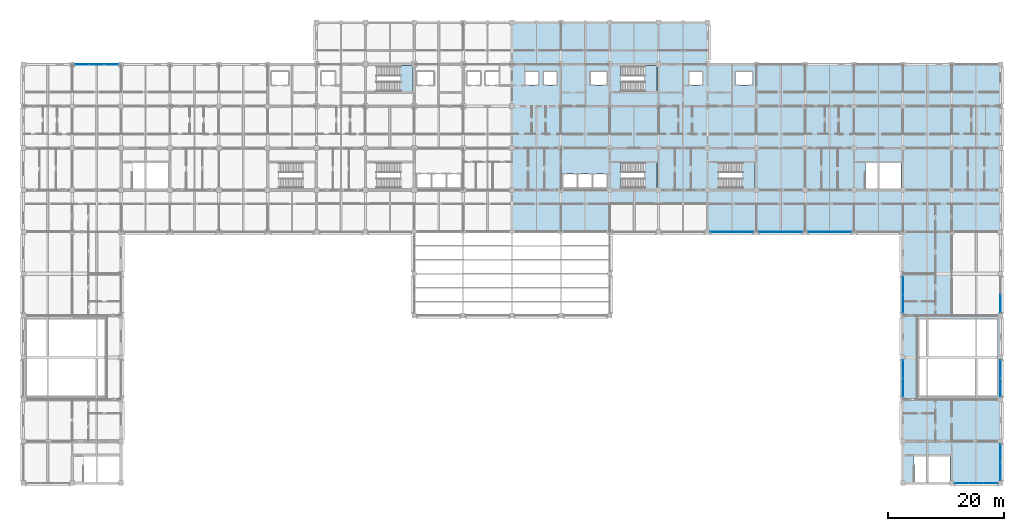
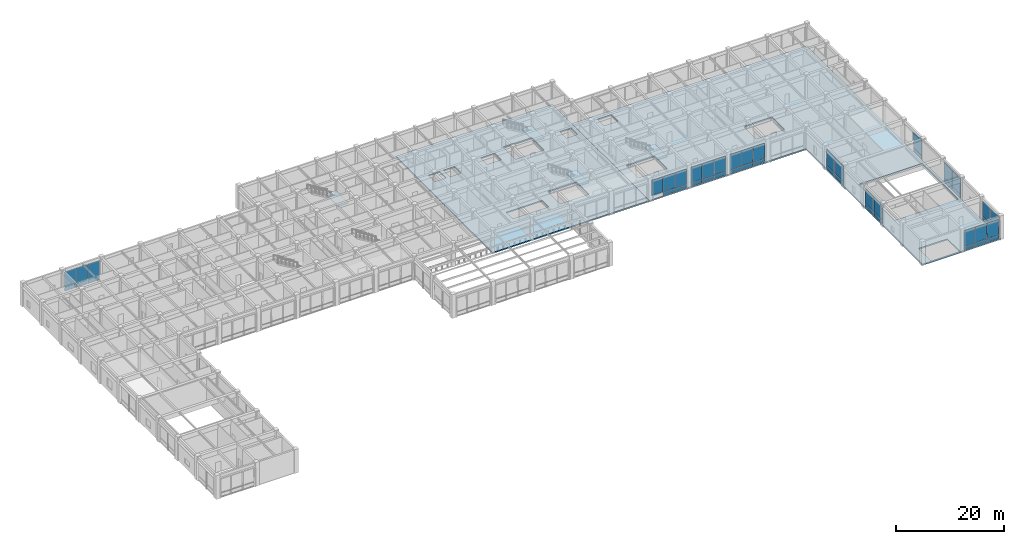
# One storey, part 28 of 58: 47 plates, 6 slabs, 14 elements without a shape of their own.
"""IFC4 building model written with IfcOpenShell, lengths in metres."""

import ifcopenshell
import ifcopenshell.guid

model = None  # the IFC model being written
_history = None  # IfcOwnerHistory: only IFC2X3 demands one
_inside = {}  # id of a spatial element -> (the spatial element, [elements in it])
_under = {}  # id of a project, library or spatial element -> (it, [spatial elements below it])
_declared = {}  # id of a project -> (the project, [libraries it declares])
_typed = {}  # id of a type object -> (the type object, [elements of that type])
_made_of = {}  # id of a material, layer set ... -> (it, [elements and type objects made of it])


def new_model(schema):
    """Start an empty IFC model of exactly this schema.

    Asked for "IFC4X3", IfcOpenShell would pick the latest addendum, in which some entities
    have other attributes; the version numbers below select the first issue.
    IFC2X3 requires an IfcOwnerHistory on every rooted entity: one is made here for all.
    """
    global model, _history
    if schema == "IFC4X3":
        model = ifcopenshell.file(schema_version=(4, 3, 0, 0))
    else:
        model = ifcopenshell.file(schema=schema)
    _inside.clear()
    _under.clear()
    _declared.clear()
    _typed.clear()
    _made_of.clear()
    _history = None
    if model.schema == "IFC2X3":
        org = make("IfcOrganization", Name="unknown")
        user = make(
            "IfcPersonAndOrganization",
            ThePerson=make("IfcPerson", FamilyName="unknown"),
            TheOrganization=org,
        )
        app = make(
            "IfcApplication",
            ApplicationDeveloper=org,
            Version="unknown",
            ApplicationFullName="unknown",
            ApplicationIdentifier="unknown",
        )
        _history = make(
            "IfcOwnerHistory",
            OwningUser=user,
            OwningApplication=app,
            ChangeAction="ADDED",
            CreationDate=0,
        )
    return model


def make(cls, **values):
    """One entity of the class cls with the attributes given. An attribute that is None is left unset."""
    return model.create_entity(
        cls, **{name: value for name, value in values.items() if value is not None}
    )


def rooted(cls, **values):
    """An entity with a GlobalId (a new one), such as an element, a storey or a relation."""
    return make(cls, GlobalId=ifcopenshell.guid.new(), OwnerHistory=_history, **values)


def si_unit(unit_type, name, prefix=None):
    """IfcSIUnit, for example si_unit("LENGTHUNIT", "METRE", prefix="MILLI")."""
    return make("IfcSIUnit", UnitType=unit_type, Prefix=prefix, Name=name)


def assignment(units):
    """IfcUnitAssignment: the units of a project."""
    return None if units is None else make("IfcUnitAssignment", Units=units)


def point(xyz):
    """IfcCartesianPoint."""
    return None if xyz is None else make("IfcCartesianPoint", Coordinates=xyz)


def direction(xyz):
    """IfcDirection."""
    return None if xyz is None else make("IfcDirection", DirectionRatios=xyz)


def frame(location, z_axis=None, x_axis=None):
    """IfcAxis2Placement3D, a coordinate frame: its origin and axes. An axis left out is left unset."""
    return make(
        "IfcAxis2Placement3D",
        Location=point(location),
        Axis=direction(z_axis),
        RefDirection=direction(x_axis),
    )


def frame_2d(location, x_axis=None):
    """IfcAxis2Placement2D, a coordinate frame in the plane: its origin and x axis."""
    return make(
        "IfcAxis2Placement2D", Location=point(location), RefDirection=direction(x_axis)
    )


def origin():
    """The frame at (0, 0, 0) with its axes left unset."""
    return frame((0.0, 0.0, 0.0))


def origin_2d():
    """The frame at (0, 0) in the plane with its x axis left unset."""
    return frame_2d((0.0, 0.0))


def place(relative_to, where):
    """IfcLocalPlacement: puts the frame where relative to a parent placement (None: the world)."""
    return make(
        "IfcLocalPlacement", PlacementRelTo=relative_to, RelativePlacement=where
    )


def context(
    kind, dimensions, precision=None, world=None, true_north=None, identifier=None
):
    """IfcGeometricRepresentationContext, for example the 3D "Model" context."""
    return make(
        "IfcGeometricRepresentationContext",
        ContextIdentifier=identifier,
        ContextType=kind,
        CoordinateSpaceDimension=dimensions,
        Precision=precision,
        WorldCoordinateSystem=world,
        TrueNorth=true_north,
    )


def subcontext(parent, identifier, kind, view, scale=None):
    """IfcGeometricRepresentationSubContext, for example "Body" below "Model"."""
    return make(
        "IfcGeometricRepresentationSubContext",
        ContextIdentifier=identifier,
        ContextType=kind,
        ParentContext=parent,
        TargetScale=scale,
        TargetView=view,
    )


def project(units=None, contexts=None):
    """IfcProject with its units and contexts."""
    return rooted(
        "IfcProject",
        Name="project",
        RepresentationContexts=contexts,
        UnitsInContext=assignment(units),
    )


def spatial(cls, under=None, at=None, **own):
    """A site, building, storey or space (cls), placed at a placement, below another one or the project."""
    s = rooted(cls, ObjectPlacement=at, **own)
    if under is not None:
        _under.setdefault(under.id(), (under, []))[1].append(s)
    return s


def polyline(points):
    """IfcPolyline through the points."""
    return make("IfcPolyline", Points=[point(p) for p in points])


def profile(cls, at=None, kind="AREA", **sizes):
    """A parametric profile (cls). Its sizes go by their IFC names, for example OverallWidth=200.0."""
    return make(cls, ProfileType=kind, Position=at, **sizes)


def rectangle(**sizes):
    """IfcRectangleProfileDef."""
    return profile("IfcRectangleProfileDef", **sizes)


def outline(outer, holes=None, kind="AREA"):
    """IfcArbitraryClosedProfileDef: a profile drawn as a closed curve; with holes, ...WithVoids."""
    if holes is None:
        return make("IfcArbitraryClosedProfileDef", ProfileType=kind, OuterCurve=outer)
    return make(
        "IfcArbitraryProfileDefWithVoids",
        ProfileType=kind,
        OuterCurve=outer,
        InnerCurves=holes,
    )


def extrude(swept, where, along, depth):
    """IfcExtrudedAreaSolid: the profile swept, set in the frame where, extruded along a direction by depth."""
    return make(
        "IfcExtrudedAreaSolid",
        SweptArea=swept,
        Position=where,
        ExtrudedDirection=direction(along),
        Depth=depth,
    )


def shape(context_of_items, identifier, shape_type, items):
    """IfcShapeRepresentation: the items that make up one representation, for example the "Body"."""
    return make(
        "IfcShapeRepresentation",
        ContextOfItems=context_of_items,
        RepresentationIdentifier=identifier,
        RepresentationType=shape_type,
        Items=items,
    )


def material(Name=None, Category=None):
    """IfcMaterial."""
    return make("IfcMaterial", Name=Name, Category=Category)


def layer(
    of_material, thickness, ventilated=None, Name=None, Category=None, Priority=None
):
    """IfcMaterialLayer: one layer of a wall or slab, of a material (None: an air gap)."""
    return make(
        "IfcMaterialLayer",
        Material=of_material,
        LayerThickness=thickness,
        IsVentilated=ventilated,
        Name=Name,
        Category=Category,
        Priority=Priority,
    )


def layer_set(layers, Name=None):
    """IfcMaterialLayerSet."""
    return make("IfcMaterialLayerSet", MaterialLayers=layers, LayerSetName=Name)


def made_of(thing, what):
    """Note that an element or type object is made of a material, layer set ...; save() writes the relation."""
    if what is not None:
        _made_of.setdefault(what.id(), (what, []))[1].append(thing)
    return thing


def type_object(cls, material=None, **own):
    """A type object (cls), such as IfcWallType, which elements share."""
    return made_of(rooted(cls, **own), material)


def element(
    cls,
    number,
    at=None,
    inside=None,
    cuts=None,
    type_object=None,
    material=None,
    context=None,
    identifier="Body",
    shape_type=None,
    held_by="IfcProductDefinitionShape",
    body=None,
    shapes=None,
    **own,
):
    """One element of the class cls, such as IfcWall. Its Tag is "e" and its number.

    at: its placement. inside: the storey or other place that contains it. cuts: it is an
    opening in that element (IfcRelVoidsElement). A single representation is given by context,
    identifier, shape_type and body (its items); several are given by shapes. held_by: the class
    of the entity that holds the representations. save() writes the other relations.
    """
    e = rooted(cls, Tag="e%d" % number, ObjectPlacement=at, **own)
    if body is not None:
        shapes = [shape(context, identifier, shape_type, body)]
    if shapes is not None:
        e.Representation = make(held_by, Representations=shapes)
    if inside is not None:
        _inside.setdefault(inside.id(), (inside, []))[1].append(e)
    if cuts is not None:
        rooted(
            "IfcRelVoidsElement", RelatingBuildingElement=cuts, RelatedOpeningElement=e
        )
    if type_object is not None:
        _typed.setdefault(type_object.id(), (type_object, []))[1].append(e)
    return made_of(e, material)


def aggregate(whole, parts):
    """IfcRelAggregates: a whole, such as a stair, and the parts it consists of."""
    return rooted("IfcRelAggregates", RelatingObject=whole, RelatedObjects=parts)


def save(model, path):
    """Write the relations noted so far, then the file.

    IfcRelAggregates (storeys below a building ...), IfcRelContainedInSpatialStructure (elements
    in a storey), IfcRelDefinesByType, IfcRelAssociatesMaterial and IfcRelDeclares: one each for
    every whole, place, type object, material and project.
    """
    for whole, parts in _under.values():
        aggregate(whole, parts)
    for where, things in _inside.values():
        rooted(
            "IfcRelContainedInSpatialStructure",
            RelatedElements=things,
            RelatingStructure=where,
        )
    for kind, things in _typed.values():
        rooted("IfcRelDefinesByType", RelatedObjects=things, RelatingType=kind)
    for what, things in _made_of.values():
        rooted("IfcRelAssociatesMaterial", RelatedObjects=things, RelatingMaterial=what)
    for by, libraries in _declared.values():
        rooted("IfcRelDeclares", RelatingContext=by, RelatedDefinitions=libraries)
    model.write(path)


model = new_model("IFC4")

# Units and contexts
model_context = context("Model", 3, precision=1e-05, world=origin(), true_north=direction((0.0, 1.0)))
body_context = subcontext(model_context, "Body", "Model", "MODEL_VIEW")
ifc_project = project(units=[si_unit("LENGTHUNIT", "METRE"), si_unit("AREAUNIT", "SQUARE_METRE"), si_unit("VOLUMEUNIT", "CUBIC_METRE"), si_unit("PLANEANGLEUNIT", "RADIAN"), si_unit("MASSUNIT", "GRAM", prefix="KILO")], contexts=[model_context])

# Site, building, storey
site_placement = place(None, origin())
site = spatial("IfcSite", under=ifc_project, at=site_placement, CompositionType="ELEMENT")
building_placement = place(site_placement, origin())
building = spatial("IfcBuilding", under=site, at=building_placement, Name="Chengyuan Square Courthouse", CompositionType="ELEMENT")
storey_placement = place(building_placement, frame((0.0, 0.0, 16.199951171875)))
storey = spatial("IfcBuildingStorey", under=building, at=storey_placement, Name="L04", CompositionType="ELEMENT", Elevation=16.199951171875)

# Curtain wall, plates
ifc_material_1 = material(Name="Unitised Aluminium and Triple Low-E Glass", Category="aluminium")
ifc_layer_1 = layer(ifc_material_1, 0.179931640625)
ifc_layer_set_1 = layer_set([ifc_layer_1], Name="Unitised Aluminium and Triple Low-E Glass")
curtain_wall_type_1 = type_object("IfcCurtainWallType", Name="CW-10", PredefinedType="USERDEFINED", material=ifc_layer_set_1)
curtain_wall_1_placement = place(storey_placement, origin())
curtain_wall_1 = element("IfcCurtainWall", 1, at=curtain_wall_1_placement, inside=storey, type_object=curtain_wall_type_1, Name="Unitised Curtain Wall CW-L04-133", ObjectType="UNITISED CURTAIN WALL", PredefinedType="USERDEFINED")
ifc_material_2 = material(Name="Triple Low-E Insulating Glass", Category="glass")
ifc_layer_2 = layer(ifc_material_2, 0.052001953125)
ifc_layer_set_2 = layer_set([ifc_layer_2], Name="Triple Low-E Insulating Glass")
plate_type_1 = type_object("IfcPlateType", Name="CWP-04", PredefinedType="CURTAIN_PANEL", material=ifc_layer_set_2)
plate_1_placement = place(storey_placement, frame((10.099609375, 108.0, 0.06494140625), z_axis=(0.0, 0.0, 1.0), x_axis=(1.0, 0.0, 0.0)))
plate_1 = element("IfcPlate", 2, at=plate_1_placement, type_object=plate_type_1, Name="CW-10 panel 1.1", PredefinedType="CURTAIN_PANEL", context=body_context, shape_type="SweptSolid", body=[
    extrude(rectangle(XDim=2.419189453125, YDim=0.052001953125, at=origin_2d()), origin(), (0.0, 0.0, 1.0), 0.8525390625),
])
plate_2_placement = place(storey_placement, frame((10.099609375, 108.0, 0.982666015625), z_axis=(0.0, 0.0, 1.0), x_axis=(1.0, 0.0, 0.0)))
plate_2 = element("IfcPlate", 3, at=plate_2_placement, type_object=plate_type_1, Name="CW-10 panel 1.2", PredefinedType="CURTAIN_PANEL", context=body_context, shape_type="SweptSolid", body=[
    extrude(rectangle(XDim=2.419189453125, YDim=0.052001953125, at=origin_2d()), origin(), (0.0, 0.0, 1.0), 3.50244140625),
])
plate_3_placement = place(storey_placement, frame((12.60009765625, 108.0, 0.06494140625), z_axis=(0.0, 0.0, 1.0), x_axis=(1.0, 0.0, 0.0)))
plate_3 = element("IfcPlate", 4, at=plate_3_placement, type_object=plate_type_1, Name="CW-10 panel 2.1", PredefinedType="CURTAIN_PANEL", context=body_context, shape_type="SweptSolid", body=[
    extrude(rectangle(XDim=2.45166015625, YDim=0.052001953125, at=origin_2d()), origin(), (0.0, 0.0, 1.0), 0.8525390625),
])
plate_4_placement = place(storey_placement, frame((12.60009765625, 108.0, 0.982666015625), z_axis=(0.0, 0.0, 1.0), x_axis=(1.0, 0.0, 0.0)))
plate_4 = element("IfcPlate", 5, at=plate_4_placement, type_object=plate_type_1, Name="CW-10 panel 2.2", PredefinedType="CURTAIN_PANEL", context=body_context, shape_type="SweptSolid", body=[
    extrude(rectangle(XDim=2.45166015625, YDim=0.052001953125, at=origin_2d()), origin(), (0.0, 0.0, 1.0), 3.50244140625),
])
plate_5_placement = place(storey_placement, frame((15.100341796875, 108.0, 0.06494140625), z_axis=(0.0, 0.0, 1.0), x_axis=(1.0, 0.0, 0.0)))
plate_5 = element("IfcPlate", 6, at=plate_5_placement, type_object=plate_type_1, Name="CW-10 panel 3.1", PredefinedType="CURTAIN_PANEL", context=body_context, shape_type="SweptSolid", body=[
    extrude(rectangle(XDim=2.419189453125, YDim=0.052001953125, at=origin_2d()), origin(), (0.0, 0.0, 1.0), 0.8525390625),
])
plate_6_placement = place(storey_placement, frame((15.100341796875, 108.0, 0.982666015625), z_axis=(0.0, 0.0, 1.0), x_axis=(1.0, 0.0, 0.0)))
plate_6 = element("IfcPlate", 7, at=plate_6_placement, type_object=plate_type_1, Name="CW-10 panel 3.2", PredefinedType="CURTAIN_PANEL", context=body_context, shape_type="SweptSolid", body=[
    extrude(rectangle(XDim=2.419189453125, YDim=0.052001953125, at=origin_2d()), origin(), (0.0, 0.0, 1.0), 3.50244140625),
])
aggregate(curtain_wall_1, [plate_1, plate_2, plate_3, plate_4, plate_5, plate_6])

curtain_wall_2_placement = place(storey_placement, origin())
curtain_wall_2 = element("IfcCurtainWall", 8, at=curtain_wall_2_placement, inside=storey, type_object=curtain_wall_type_1, Name="Unitised Curtain Wall CW-L04-150", ObjectType="UNITISED CURTAIN WALL", PredefinedType="USERDEFINED")
plate_7_placement = place(storey_placement, frame((119.3203125, 79.199951171875, 0.982421875), z_axis=(0.0, 0.0, 1.0), x_axis=(1.0, 0.0, 0.0)))
plate_7 = element("IfcPlate", 9, at=plate_7_placement, type_object=plate_type_1, Name="CW-10 panel 1.2", PredefinedType="CURTAIN_PANEL", context=body_context, shape_type="SweptSolid", body=[
    extrude(rectangle(XDim=2.410888671875, YDim=0.052001953125, at=origin_2d()), origin(), (0.0, 0.0, 1.0), 3.422607421875),
])
plate_8_placement = place(storey_placement, frame((121.8125, 79.199951171875, 0.06494140625), z_axis=(0.0, 0.0, 1.0), x_axis=(1.0, 0.0, 0.0)))
plate_8 = element("IfcPlate", 10, at=plate_8_placement, type_object=plate_type_1, Name="CW-10 panel 2.1", PredefinedType="CURTAIN_PANEL", context=body_context, shape_type="SweptSolid", body=[
    extrude(rectangle(XDim=2.443359375, YDim=0.052001953125, at=origin_2d()), origin(), (0.0, 0.0, 1.0), 0.8525390625),
])
plate_9_placement = place(storey_placement, frame((121.8125, 79.199951171875, 0.982421875), z_axis=(0.0, 0.0, 1.0), x_axis=(1.0, 0.0, 0.0)))
plate_9 = element("IfcPlate", 11, at=plate_9_placement, type_object=plate_type_1, Name="CW-10 panel 2.2", PredefinedType="CURTAIN_PANEL", context=body_context, shape_type="SweptSolid", body=[
    extrude(rectangle(XDim=2.443359375, YDim=0.052001953125, at=origin_2d()), origin(), (0.0, 0.0, 1.0), 3.422607421875),
])
plate_10_placement = place(storey_placement, frame((124.3046875, 79.199951171875, 0.06494140625), z_axis=(0.0, 0.0, 1.0), x_axis=(1.0, 0.0, 0.0)))
plate_10 = element("IfcPlate", 12, at=plate_10_placement, type_object=plate_type_1, Name="CW-10 panel 3.1", PredefinedType="CURTAIN_PANEL", context=body_context, shape_type="SweptSolid", body=[
    extrude(rectangle(XDim=2.410888671875, YDim=0.052001953125, at=origin_2d()), origin(), (0.0, 0.0, 1.0), 0.8525390625),
])
plate_11_placement = place(storey_placement, frame((124.3046875, 79.199951171875, 0.982421875), z_axis=(0.0, 0.0, 1.0), x_axis=(1.0, 0.0, 0.0)))
plate_11 = element("IfcPlate", 13, at=plate_11_placement, type_object=plate_type_1, Name="CW-10 panel 3.2", PredefinedType="CURTAIN_PANEL", context=body_context, shape_type="SweptSolid", body=[
    extrude(rectangle(XDim=2.410888671875, YDim=0.052001953125, at=origin_2d()), origin(), (0.0, 0.0, 1.0), 3.422607421875),
])
aggregate(curtain_wall_2, [plate_7, plate_8, plate_9, plate_10, plate_11])

curtain_wall_3_placement = place(storey_placement, origin())
curtain_wall_3 = element("IfcCurtainWall", 14, at=curtain_wall_3_placement, inside=storey, type_object=curtain_wall_type_1, Name="Unitised Curtain Wall CW-L04-151", ObjectType="UNITISED CURTAIN WALL", PredefinedType="USERDEFINED")
plate_12_placement = place(storey_placement, frame((127.699462890625, 79.199951171875, 0.06494140625), z_axis=(0.0, 0.0, 1.0), x_axis=(1.0, 0.0, 0.0)))
plate_12 = element("IfcPlate", 15, at=plate_12_placement, type_object=plate_type_1, Name="CW-10 panel 1.1", PredefinedType="CURTAIN_PANEL", context=body_context, shape_type="SweptSolid", body=[
    extrude(rectangle(XDim=2.419189453125, YDim=0.052001953125, at=origin_2d()), origin(), (0.0, 0.0, 1.0), 0.8525390625),
])
plate_13_placement = place(storey_placement, frame((127.699462890625, 79.199951171875, 0.982421875), z_axis=(0.0, 0.0, 1.0), x_axis=(1.0, 0.0, 0.0)))
plate_13 = element("IfcPlate", 16, at=plate_13_placement, type_object=plate_type_1, Name="CW-10 panel 1.2", PredefinedType="CURTAIN_PANEL", context=body_context, shape_type="SweptSolid", body=[
    extrude(rectangle(XDim=2.419189453125, YDim=0.052001953125, at=origin_2d()), origin(), (0.0, 0.0, 1.0), 3.422607421875),
])
plate_14_placement = place(storey_placement, frame((130.199951171875, 79.199951171875, 0.06494140625), z_axis=(0.0, 0.0, 1.0), x_axis=(1.0, 0.0, 0.0)))
plate_14 = element("IfcPlate", 17, at=plate_14_placement, type_object=plate_type_1, Name="CW-10 panel 2.1", PredefinedType="CURTAIN_PANEL", context=body_context, shape_type="SweptSolid", body=[
    extrude(rectangle(XDim=2.45166015625, YDim=0.052001953125, at=origin_2d()), origin(), (0.0, 0.0, 1.0), 0.8525390625),
])
plate_15_placement = place(storey_placement, frame((130.199951171875, 79.199951171875, 0.982421875), z_axis=(0.0, 0.0, 1.0), x_axis=(1.0, 0.0, 0.0)))
plate_15 = element("IfcPlate", 18, at=plate_15_placement, type_object=plate_type_1, Name="CW-10 panel 2.2", PredefinedType="CURTAIN_PANEL", context=body_context, shape_type="SweptSolid", body=[
    extrude(rectangle(XDim=2.45166015625, YDim=0.052001953125, at=origin_2d()), origin(), (0.0, 0.0, 1.0), 3.422607421875),
])
plate_16_placement = place(storey_placement, frame((132.700439453125, 79.199951171875, 0.06494140625), z_axis=(0.0, 0.0, 1.0), x_axis=(1.0, 0.0, 0.0)))
plate_16 = element("IfcPlate", 19, at=plate_16_placement, type_object=plate_type_1, Name="CW-10 panel 3.1", PredefinedType="CURTAIN_PANEL", context=body_context, shape_type="SweptSolid", body=[
    extrude(rectangle(XDim=2.419189453125, YDim=0.052001953125, at=origin_2d()), origin(), (0.0, 0.0, 1.0), 0.8525390625),
])
plate_17_placement = place(storey_placement, frame((132.700439453125, 79.199951171875, 0.982421875), z_axis=(0.0, 0.0, 1.0), x_axis=(1.0, 0.0, 0.0)))
plate_17 = element("IfcPlate", 20, at=plate_17_placement, type_object=plate_type_1, Name="CW-10 panel 3.2", PredefinedType="CURTAIN_PANEL", context=body_context, shape_type="SweptSolid", body=[
    extrude(rectangle(XDim=2.419189453125, YDim=0.052001953125, at=origin_2d()), origin(), (0.0, 0.0, 1.0), 3.422607421875),
])
aggregate(curtain_wall_3, [plate_12, plate_13, plate_14, plate_15, plate_16, plate_17])

curtain_wall_4_placement = place(storey_placement, origin())
curtain_wall_4 = element("IfcCurtainWall", 21, at=curtain_wall_4_placement, inside=storey, type_object=curtain_wall_type_1, Name="Unitised Curtain Wall CW-L04-153", ObjectType="UNITISED CURTAIN WALL", PredefinedType="USERDEFINED")
plate_18_placement = place(storey_placement, frame((136.099609375, 79.199951171875, 0.06494140625), z_axis=(0.0, 0.0, 1.0), x_axis=(1.0, 0.0, 0.0)))
plate_18 = element("IfcPlate", 22, at=plate_18_placement, type_object=plate_type_1, Name="CW-10 panel 1.1", PredefinedType="CURTAIN_PANEL", context=body_context, shape_type="SweptSolid", body=[
    extrude(rectangle(XDim=2.419189453125, YDim=0.052001953125, at=origin_2d()), origin(), (0.0, 0.0, 1.0), 0.8525390625),
])
plate_19_placement = place(storey_placement, frame((136.099609375, 79.199951171875, 0.982421875), z_axis=(0.0, 0.0, 1.0), x_axis=(1.0, 0.0, 0.0)))
plate_19 = element("IfcPlate", 23, at=plate_19_placement, type_object=plate_type_1, Name="CW-10 panel 1.2", PredefinedType="CURTAIN_PANEL", context=body_context, shape_type="SweptSolid", body=[
    extrude(rectangle(XDim=2.419189453125, YDim=0.052001953125, at=origin_2d()), origin(), (0.0, 0.0, 1.0), 3.422607421875),
])
plate_20_placement = place(storey_placement, frame((138.60009765625, 79.199951171875, 0.06494140625), z_axis=(0.0, 0.0, 1.0), x_axis=(1.0, 0.0, 0.0)))
plate_20 = element("IfcPlate", 24, at=plate_20_placement, type_object=plate_type_1, Name="CW-10 panel 2.1", PredefinedType="CURTAIN_PANEL", context=body_context, shape_type="SweptSolid", body=[
    extrude(rectangle(XDim=2.45166015625, YDim=0.052001953125, at=origin_2d()), origin(), (0.0, 0.0, 1.0), 0.8525390625),
])
plate_21_placement = place(storey_placement, frame((138.60009765625, 79.199951171875, 0.982421875), z_axis=(0.0, 0.0, 1.0), x_axis=(1.0, 0.0, 0.0)))
plate_21 = element("IfcPlate", 25, at=plate_21_placement, type_object=plate_type_1, Name="CW-10 panel 2.2", PredefinedType="CURTAIN_PANEL", context=body_context, shape_type="SweptSolid", body=[
    extrude(rectangle(XDim=2.45166015625, YDim=0.052001953125, at=origin_2d()), origin(), (0.0, 0.0, 1.0), 3.422607421875),
])
plate_22_placement = place(storey_placement, frame((141.100341796875, 79.199951171875, 0.06494140625), z_axis=(0.0, 0.0, 1.0), x_axis=(1.0, 0.0, 0.0)))
plate_22 = element("IfcPlate", 26, at=plate_22_placement, type_object=plate_type_1, Name="CW-10 panel 3.1", PredefinedType="CURTAIN_PANEL", context=body_context, shape_type="SweptSolid", body=[
    extrude(rectangle(XDim=2.419189453125, YDim=0.052001953125, at=origin_2d()), origin(), (0.0, 0.0, 1.0), 0.8525390625),
])
plate_23_placement = place(storey_placement, frame((141.100341796875, 79.199951171875, 0.982421875), z_axis=(0.0, 0.0, 1.0), x_axis=(1.0, 0.0, 0.0)))
plate_23 = element("IfcPlate", 27, at=plate_23_placement, type_object=plate_type_1, Name="CW-10 panel 3.2", PredefinedType="CURTAIN_PANEL", context=body_context, shape_type="SweptSolid", body=[
    extrude(rectangle(XDim=2.419189453125, YDim=0.052001953125, at=origin_2d()), origin(), (0.0, 0.0, 1.0), 3.422607421875),
])
aggregate(curtain_wall_4, [plate_18, plate_19, plate_20, plate_21, plate_22, plate_23])

curtain_wall_5_placement = place(storey_placement, origin())
curtain_wall_5 = element("IfcCurtainWall", 28, at=curtain_wall_5_placement, inside=storey, type_object=curtain_wall_type_1, Name="Unitised Curtain Wall CW-L04-158", ObjectType="UNITISED CURTAIN WALL", PredefinedType="USERDEFINED")
plate_24_placement = place(storey_placement, frame((161.299560546875, 36.0, 0.06494140625), z_axis=(0.0, 0.0, 1.0), x_axis=(1.0, 0.0, 0.0)))
plate_24 = element("IfcPlate", 29, at=plate_24_placement, type_object=plate_type_1, Name="CW-10 panel 1.1", PredefinedType="CURTAIN_PANEL", context=body_context, shape_type="SweptSolid", body=[
    extrude(rectangle(XDim=2.419189453125, YDim=0.052001953125, at=origin_2d()), origin(), (0.0, 0.0, 1.0), 0.8525390625),
])
plate_25_placement = place(storey_placement, frame((161.299560546875, 36.0, 0.982666015625), z_axis=(0.0, 0.0, 1.0), x_axis=(1.0, 0.0, 0.0)))
plate_25 = element("IfcPlate", 30, at=plate_25_placement, type_object=plate_type_1, Name="CW-10 panel 1.2", PredefinedType="CURTAIN_PANEL", context=body_context, shape_type="SweptSolid", body=[
    extrude(rectangle(XDim=2.419189453125, YDim=0.052001953125, at=origin_2d()), origin(), (0.0, 0.0, 1.0), 3.50244140625),
])
plate_26_placement = place(storey_placement, frame((163.800048828125, 36.0, 0.06494140625), z_axis=(0.0, 0.0, 1.0), x_axis=(1.0, 0.0, 0.0)))
plate_26 = element("IfcPlate", 31, at=plate_26_placement, type_object=plate_type_1, Name="CW-10 panel 2.1", PredefinedType="CURTAIN_PANEL", context=body_context, shape_type="SweptSolid", body=[
    extrude(rectangle(XDim=2.45166015625, YDim=0.052001953125, at=origin_2d()), origin(), (0.0, 0.0, 1.0), 0.8525390625),
])
plate_27_placement = place(storey_placement, frame((163.800048828125, 36.0, 0.982666015625), z_axis=(0.0, 0.0, 1.0), x_axis=(1.0, 0.0, 0.0)))
plate_27 = element("IfcPlate", 32, at=plate_27_placement, type_object=plate_type_1, Name="CW-10 panel 2.2", PredefinedType="CURTAIN_PANEL", context=body_context, shape_type="SweptSolid", body=[
    extrude(rectangle(XDim=2.45166015625, YDim=0.052001953125, at=origin_2d()), origin(), (0.0, 0.0, 1.0), 3.50244140625),
])
plate_28_placement = place(storey_placement, frame((166.300537109375, 36.0, 0.06494140625), z_axis=(0.0, 0.0, 1.0), x_axis=(1.0, 0.0, 0.0)))
plate_28 = element("IfcPlate", 33, at=plate_28_placement, type_object=plate_type_1, Name="CW-10 panel 3.1", PredefinedType="CURTAIN_PANEL", context=body_context, shape_type="SweptSolid", body=[
    extrude(rectangle(XDim=2.419189453125, YDim=0.052001953125, at=origin_2d()), origin(), (0.0, 0.0, 1.0), 0.8525390625),
])
plate_29_placement = place(storey_placement, frame((166.300537109375, 36.0, 0.982666015625), z_axis=(0.0, 0.0, 1.0), x_axis=(1.0, 0.0, 0.0)))
plate_29 = element("IfcPlate", 34, at=plate_29_placement, type_object=plate_type_1, Name="CW-10 panel 3.2", PredefinedType="CURTAIN_PANEL", context=body_context, shape_type="SweptSolid", body=[
    extrude(rectangle(XDim=2.419189453125, YDim=0.052001953125, at=origin_2d()), origin(), (0.0, 0.0, 1.0), 3.50244140625),
])
aggregate(curtain_wall_5, [plate_24, plate_25, plate_26, plate_27, plate_28, plate_29])

ifc_layer_3 = layer(ifc_material_1, 0.199951171875)
ifc_layer_set_3 = layer_set([ifc_layer_3], Name="Unitised Aluminium and Triple Low-E Glass")
curtain_wall_type_2 = type_object("IfcCurtainWallType", Name="CW-23", PredefinedType="USERDEFINED", material=ifc_layer_set_3)
curtain_wall_6_placement = place(storey_placement, origin())
curtain_wall_6 = element("IfcCurtainWall", 35, at=curtain_wall_6_placement, inside=storey, type_object=curtain_wall_type_2, Name="Unitised Curtain Wall CW-L04-156", ObjectType="UNITISED CURTAIN WALL", PredefinedType="USERDEFINED")
ifc_layer_4 = layer(ifc_material_2, 0.06201171875)
ifc_layer_set_4 = layer_set([ifc_layer_4], Name="Triple Low-E Insulating Glass")
plate_type_2 = type_object("IfcPlateType", Name="CWP-05", PredefinedType="CURTAIN_PANEL", material=ifc_layer_set_4)
plate_30_placement = place(storey_placement, frame((151.199951171875, 52.429931640625, 0.06982421875), z_axis=(0.0, 0.0, 1.0), x_axis=(0.0, 1.0, 0.0)))
plate_30 = element("IfcPlate", 36, at=plate_30_placement, type_object=plate_type_2, Name="CW-23 panel 1.1", PredefinedType="CURTAIN_PANEL", context=body_context, shape_type="SweptSolid", body=[
    extrude(rectangle(XDim=3.070068359375, YDim=0.06201171875, at=origin_2d()), origin(), (0.0, 0.0, 1.0), 0.844970703125),
])
plate_31_placement = place(storey_placement, frame((151.199951171875, 52.429931640625, 0.985107421875), z_axis=(0.0, 0.0, 1.0), x_axis=(0.0, 1.0, 0.0)))
plate_31 = element("IfcPlate", 37, at=plate_31_placement, type_object=plate_type_2, Name="CW-23 panel 1.2", PredefinedType="CURTAIN_PANEL", context=body_context, shape_type="SweptSolid", body=[
    extrude(rectangle(XDim=3.070068359375, YDim=0.06201171875, at=origin_2d()), origin(), (0.0, 0.0, 1.0), 3.4951171875),
])
plate_32_placement = place(storey_placement, frame((151.199951171875, 55.570068359375, 0.06982421875), z_axis=(0.0, 0.0, 1.0), x_axis=(0.0, 1.0, 0.0)))
plate_32 = element("IfcPlate", 38, at=plate_32_placement, type_object=plate_type_2, Name="CW-23 panel 2.1", PredefinedType="CURTAIN_PANEL", context=body_context, shape_type="SweptSolid", body=[
    extrude(rectangle(XDim=3.070068359375, YDim=0.06201171875, at=origin_2d()), origin(), (0.0, 0.0, 1.0), 0.844970703125),
])
plate_33_placement = place(storey_placement, frame((151.199951171875, 55.570068359375, 0.985107421875), z_axis=(0.0, 0.0, 1.0), x_axis=(0.0, 1.0, 0.0)))
plate_33 = element("IfcPlate", 39, at=plate_33_placement, type_object=plate_type_2, Name="CW-23 panel 2.2", PredefinedType="CURTAIN_PANEL", context=body_context, shape_type="SweptSolid", body=[
    extrude(rectangle(XDim=3.070068359375, YDim=0.06201171875, at=origin_2d()), origin(), (0.0, 0.0, 1.0), 3.4951171875),
])
aggregate(curtain_wall_6, [plate_30, plate_31, plate_32, plate_33])

curtain_wall_7_placement = place(storey_placement, origin())
curtain_wall_7 = element("IfcCurtainWall", 40, at=curtain_wall_7_placement, inside=storey, type_object=curtain_wall_type_2, Name="Unitised Curtain Wall CW-L04-157", ObjectType="UNITISED CURTAIN WALL", PredefinedType="USERDEFINED")
plate_34_placement = place(storey_placement, frame((151.199951171875, 66.830078125, 0.06982421875), z_axis=(0.0, 0.0, 1.0), x_axis=(0.0, 1.0, 0.0)))
plate_34 = element("IfcPlate", 41, at=plate_34_placement, type_object=plate_type_2, Name="CW-23 panel 1.1", PredefinedType="CURTAIN_PANEL", context=body_context, shape_type="SweptSolid", body=[
    extrude(rectangle(XDim=3.070068359375, YDim=0.06201171875, at=origin_2d()), origin(), (0.0, 0.0, 1.0), 0.844970703125),
])
plate_35_placement = place(storey_placement, frame((151.199951171875, 66.830078125, 0.985107421875), z_axis=(0.0, 0.0, 1.0), x_axis=(0.0, 1.0, 0.0)))
plate_35 = element("IfcPlate", 42, at=plate_35_placement, type_object=plate_type_2, Name="CW-23 panel 1.2", PredefinedType="CURTAIN_PANEL", context=body_context, shape_type="SweptSolid", body=[
    extrude(rectangle(XDim=3.070068359375, YDim=0.06201171875, at=origin_2d()), origin(), (0.0, 0.0, 1.0), 3.4951171875),
])
plate_36_placement = place(storey_placement, frame((151.199951171875, 69.969970703125, 0.06982421875), z_axis=(0.0, 0.0, 1.0), x_axis=(0.0, 1.0, 0.0)))
plate_36 = element("IfcPlate", 43, at=plate_36_placement, type_object=plate_type_2, Name="CW-23 panel 2.1", PredefinedType="CURTAIN_PANEL", context=body_context, shape_type="SweptSolid", body=[
    extrude(rectangle(XDim=3.070068359375, YDim=0.06201171875, at=origin_2d()), origin(), (0.0, 0.0, 1.0), 0.844970703125),
])
plate_37_placement = place(storey_placement, frame((151.199951171875, 69.969970703125, 0.985107421875), z_axis=(0.0, 0.0, 1.0), x_axis=(0.0, 1.0, 0.0)))
plate_37 = element("IfcPlate", 44, at=plate_37_placement, type_object=plate_type_2, Name="CW-23 panel 2.2", PredefinedType="CURTAIN_PANEL", context=body_context, shape_type="SweptSolid", body=[
    extrude(rectangle(XDim=3.070068359375, YDim=0.06201171875, at=origin_2d()), origin(), (0.0, 0.0, 1.0), 3.4951171875),
])
aggregate(curtain_wall_7, [plate_34, plate_35, plate_36, plate_37])

curtain_wall_8_placement = place(storey_placement, origin())
curtain_wall_8 = element("IfcCurtainWall", 45, at=curtain_wall_8_placement, inside=storey, type_object=curtain_wall_type_2, Name="Unitised Curtain Wall CW-L04-159", ObjectType="UNITISED CURTAIN WALL", PredefinedType="USERDEFINED")
plate_38_placement = place(storey_placement, frame((168.0, 38.030029296875, 0.06982421875), z_axis=(0.0, 0.0, 1.0), x_axis=(0.0, 1.0, 0.0)))
plate_38 = element("IfcPlate", 46, at=plate_38_placement, type_object=plate_type_2, Name="CW-23 panel 1.1", PredefinedType="CURTAIN_PANEL", context=body_context, shape_type="SweptSolid", body=[
    extrude(rectangle(XDim=3.070068359375, YDim=0.06201171875, at=origin_2d()), origin(), (0.0, 0.0, 1.0), 0.844970703125),
])
plate_39_placement = place(storey_placement, frame((168.0, 38.030029296875, 0.985107421875), z_axis=(0.0, 0.0, 1.0), x_axis=(0.0, 1.0, 0.0)))
plate_39 = element("IfcPlate", 47, at=plate_39_placement, type_object=plate_type_2, Name="CW-23 panel 1.2", PredefinedType="CURTAIN_PANEL", context=body_context, shape_type="SweptSolid", body=[
    extrude(rectangle(XDim=3.070068359375, YDim=0.06201171875, at=origin_2d()), origin(), (0.0, 0.0, 1.0), 3.4951171875),
])
plate_40_placement = place(storey_placement, frame((168.0, 41.169921875, 0.06982421875), z_axis=(0.0, 0.0, 1.0), x_axis=(0.0, 1.0, 0.0)))
plate_40 = element("IfcPlate", 48, at=plate_40_placement, type_object=plate_type_2, Name="CW-23 panel 2.1", PredefinedType="CURTAIN_PANEL", context=body_context, shape_type="SweptSolid", body=[
    extrude(rectangle(XDim=3.070068359375, YDim=0.06201171875, at=origin_2d()), origin(), (0.0, 0.0, 1.0), 0.844970703125),
])
plate_41_placement = place(storey_placement, frame((168.0, 41.169921875, 0.985107421875), z_axis=(0.0, 0.0, 1.0), x_axis=(0.0, 1.0, 0.0)))
plate_41 = element("IfcPlate", 49, at=plate_41_placement, type_object=plate_type_2, Name="CW-23 panel 2.2", PredefinedType="CURTAIN_PANEL", context=body_context, shape_type="SweptSolid", body=[
    extrude(rectangle(XDim=3.070068359375, YDim=0.06201171875, at=origin_2d()), origin(), (0.0, 0.0, 1.0), 3.4951171875),
])
aggregate(curtain_wall_8, [plate_38, plate_39, plate_40, plate_41])

curtain_wall_9_placement = place(storey_placement, origin())
curtain_wall_9 = element("IfcCurtainWall", 50, at=curtain_wall_9_placement, inside=storey, type_object=curtain_wall_type_2, Name="Unitised Curtain Wall CW-L04-160", ObjectType="UNITISED CURTAIN WALL", PredefinedType="USERDEFINED")
plate_42_placement = place(storey_placement, frame((168.0, 52.429931640625, 0.06982421875), z_axis=(0.0, 0.0, 1.0), x_axis=(0.0, 1.0, 0.0)))
plate_42 = element("IfcPlate", 51, at=plate_42_placement, type_object=plate_type_2, Name="CW-23 panel 1.1", PredefinedType="CURTAIN_PANEL", context=body_context, shape_type="SweptSolid", body=[
    extrude(rectangle(XDim=3.070068359375, YDim=0.06201171875, at=origin_2d()), origin(), (0.0, 0.0, 1.0), 0.844970703125),
])
plate_43_placement = place(storey_placement, frame((168.0, 52.429931640625, 0.985107421875), z_axis=(0.0, 0.0, 1.0), x_axis=(0.0, 1.0, 0.0)))
plate_43 = element("IfcPlate", 52, at=plate_43_placement, type_object=plate_type_2, Name="CW-23 panel 1.2", PredefinedType="CURTAIN_PANEL", context=body_context, shape_type="SweptSolid", body=[
    extrude(rectangle(XDim=3.070068359375, YDim=0.06201171875, at=origin_2d()), origin(), (0.0, 0.0, 1.0), 3.4951171875),
])
plate_44_placement = place(storey_placement, frame((168.0, 55.570068359375, 0.06982421875), z_axis=(0.0, 0.0, 1.0), x_axis=(0.0, 1.0, 0.0)))
plate_44 = element("IfcPlate", 53, at=plate_44_placement, type_object=plate_type_2, Name="CW-23 panel 2.1", PredefinedType="CURTAIN_PANEL", context=body_context, shape_type="SweptSolid", body=[
    extrude(rectangle(XDim=3.070068359375, YDim=0.06201171875, at=origin_2d()), origin(), (0.0, 0.0, 1.0), 0.844970703125),
])
plate_45_placement = place(storey_placement, frame((168.0, 55.570068359375, 0.985107421875), z_axis=(0.0, 0.0, 1.0), x_axis=(0.0, 1.0, 0.0)))
plate_45 = element("IfcPlate", 54, at=plate_45_placement, type_object=plate_type_2, Name="CW-23 panel 2.2", PredefinedType="CURTAIN_PANEL", context=body_context, shape_type="SweptSolid", body=[
    extrude(rectangle(XDim=3.070068359375, YDim=0.06201171875, at=origin_2d()), origin(), (0.0, 0.0, 1.0), 3.4951171875),
])
aggregate(curtain_wall_9, [plate_42, plate_43, plate_44, plate_45])

curtain_wall_10_placement = place(storey_placement, origin())
curtain_wall_10 = element("IfcCurtainWall", 55, at=curtain_wall_10_placement, inside=storey, type_object=curtain_wall_type_2, Name="Unitised Curtain Wall CW-L04-161", ObjectType="UNITISED CURTAIN WALL", PredefinedType="USERDEFINED")
plate_46_placement = place(storey_placement, frame((168.0, 66.830078125, 0.06982421875), z_axis=(0.0, 0.0, 1.0), x_axis=(0.0, 1.0, 0.0)))
plate_46 = element("IfcPlate", 56, at=plate_46_placement, type_object=plate_type_2, Name="CW-23 panel 1.1", PredefinedType="CURTAIN_PANEL", context=body_context, shape_type="SweptSolid", body=[
    extrude(rectangle(XDim=3.070068359375, YDim=0.06201171875, at=origin_2d()), origin(), (0.0, 0.0, 1.0), 0.844970703125),
])
plate_47_placement = place(storey_placement, frame((168.0, 66.830078125, 0.985107421875), z_axis=(0.0, 0.0, 1.0), x_axis=(0.0, 1.0, 0.0)))
plate_47 = element("IfcPlate", 57, at=plate_47_placement, type_object=plate_type_2, Name="CW-23 panel 1.2", PredefinedType="CURTAIN_PANEL", context=body_context, shape_type="SweptSolid", body=[
    extrude(rectangle(XDim=3.070068359375, YDim=0.06201171875, at=origin_2d()), origin(), (0.0, 0.0, 1.0), 3.4951171875),
])
aggregate(curtain_wall_10, [plate_46, plate_47])

# Stair, slab
ifc_material_3 = material(Name="Concrete C40", Category="concrete")
stair_type_1 = type_object("IfcStairType", Name="ST-TYPE-01", PredefinedType="HALF_TURN_STAIR", material=ifc_material_3)
stair_1_placement = place(storey_placement, origin())
stair_1 = element("IfcStair", 58, at=stair_1_placement, inside=storey, type_object=stair_type_1, Name="Smoke-Proof Exit Stair ST-1 (L04 to L05)", PredefinedType="HALF_TURN_STAIR")
ifc_layer_5 = layer(ifc_material_3, 0.18994140625)
ifc_layer_set_5 = layer_set([ifc_layer_5], Name="Concrete C40")
slab_type_1 = type_object("IfcSlabType", Name="SL-LND1", PredefinedType="LANDING", material=ifc_layer_set_5)
slab_1_placement = place(storey_placement, frame((0.0, 0.0, 2.510009765625)))
slab_1 = element("IfcSlab", 59, at=slab_1_placement, type_object=slab_type_1, Name="ST-1 landing 1", PredefinedType="LANDING", context=body_context, shape_type="SweptSolid", body=[
    extrude(outline(polyline([(64.72998046875, 103.159912109375), (66.93994140625, 103.159912109375), (66.93994140625, 107.840087890625), (64.72998046875, 107.840087890625), (64.72998046875, 103.159912109375)])), origin(), (0.0, 0.0, 1.0), 0.18994140625),
])
aggregate(stair_1, [slab_1])

stair_type_2 = type_object("IfcStairType", Name="ST-TYPE-02", PredefinedType="HALF_TURN_STAIR", material=ifc_material_3)
stair_2_placement = place(storey_placement, origin())
stair_2 = element("IfcStair", 60, at=stair_2_placement, inside=storey, type_object=stair_type_2, Name="Smoke-Proof Exit Stair ST-2 (L04 to L05)", PredefinedType="HALF_TURN_STAIR")
slab_2_placement = place(storey_placement, frame((0.0, 0.0, 2.510009765625)))
slab_2 = element("IfcSlab", 61, at=slab_2_placement, type_object=slab_type_1, Name="ST-2 landing 1", PredefinedType="LANDING", context=body_context, shape_type="SweptSolid", body=[
    extrude(outline(polyline([(106.72998046875, 103.159912109375), (108.93994140625, 103.159912109375), (108.93994140625, 107.840087890625), (106.72998046875, 107.840087890625), (106.72998046875, 103.159912109375)])), origin(), (0.0, 0.0, 1.0), 0.18994140625),
])
aggregate(stair_2, [slab_2])

stair_type_3 = type_object("IfcStairType", Name="ST-TYPE-04", PredefinedType="HALF_TURN_STAIR", material=ifc_material_3)
stair_3_placement = place(storey_placement, origin())
stair_3 = element("IfcStair", 62, at=stair_3_placement, inside=storey, type_object=stair_type_3, Name="Smoke-Proof Exit Stair ST-4 (L04 to L05)", PredefinedType="HALF_TURN_STAIR")
slab_3_placement = place(storey_placement, frame((0.0, 0.0, 2.510009765625)))
slab_3 = element("IfcSlab", 63, at=slab_3_placement, type_object=slab_type_1, Name="ST-4 landing 1", PredefinedType="LANDING", context=body_context, shape_type="SweptSolid", body=[
    extrude(outline(polyline([(106.72998046875, 86.56005859375), (108.93994140625, 86.56005859375), (108.93994140625, 91.239990234375), (106.72998046875, 91.239990234375), (106.72998046875, 86.56005859375)])), origin(), (0.0, 0.0, 1.0), 0.18994140625),
])
aggregate(stair_3, [slab_3])

stair_type_4 = type_object("IfcStairType", Name="ST-TYPE-06", PredefinedType="HALF_TURN_STAIR", material=ifc_material_3)
stair_4_placement = place(storey_placement, origin())
stair_4 = element("IfcStair", 64, at=stair_4_placement, inside=storey, type_object=stair_type_4, Name="Smoke-Proof Exit Stair ST-6 (L04 to L05)", PredefinedType="HALF_TURN_STAIR")
slab_4_placement = place(storey_placement, frame((0.0, 0.0, 2.510009765625)))
slab_4 = element("IfcSlab", 65, at=slab_4_placement, type_object=slab_type_1, Name="ST-6 landing 1", PredefinedType="LANDING", context=body_context, shape_type="SweptSolid", body=[
    extrude(outline(polyline([(123.530029296875, 86.56005859375), (125.739990234375, 86.56005859375), (125.739990234375, 91.239990234375), (123.530029296875, 91.239990234375), (123.530029296875, 86.56005859375)])), origin(), (0.0, 0.0, 1.0), 0.18994140625),
])
aggregate(stair_4, [slab_4])

# Slabs
ifc_material_4 = material(Name="Post-tensioned Concrete C50", Category="concrete")
ifc_layer_6 = layer(ifc_material_4, 0.280029296875)
ifc_layer_set_6 = layer_set([ifc_layer_6], Name="Post-tensioned Concrete C50")
slab_type_2 = type_object("IfcSlabType", Name="SL-PT28", PredefinedType="FLOOR", material=ifc_layer_set_6)
slab_5_placement = place(storey_placement, frame((0.0, 0.0, -0.280029296875)))
element("IfcSlab", 66, at=slab_5_placement, inside=storey, type_object=slab_type_2, Name="Suspended Floor Slab SL-L04-03", PredefinedType="FLOOR", context=body_context, shape_type="SweptSolid", body=[
    extrude(outline(polyline([(92.39990234375, 115.199951171875), (100.800048828125, 115.199951171875), (109.199951171875, 115.199951171875), (117.60009765625, 115.199951171875), (117.60009765625, 108.0), (117.60009765625, 79.199951171875), (109.199951171875, 79.199951171875), (100.800048828125, 79.199951171875), (84.0, 79.199951171875), (84.0, 115.199951171875), (92.39990234375, 115.199951171875)]), holes=[polyline([(95.25, 89.199951171875), (92.699951171875, 89.199951171875), (92.699951171875, 86.800048828125), (95.25, 86.800048828125), (97.85009765625, 86.800048828125), (100.39990234375, 86.800048828125), (100.39990234375, 89.199951171875), (97.85009765625, 89.199951171875), (95.25, 89.199951171875)]), polyline([(108.89990234375, 91.199951171875), (102.75, 91.199951171875), (102.75, 86.60009765625), (108.89990234375, 86.60009765625), (108.89990234375, 91.199951171875)]), polyline([(108.89990234375, 107.800048828125), (102.75, 107.800048828125), (102.75, 103.199951171875), (108.89990234375, 103.199951171875), (108.89990234375, 107.800048828125)]), polyline([(88.60009765625, 106.800048828125), (86.199951171875, 106.800048828125), (86.199951171875, 104.39990234375), (88.60009765625, 104.39990234375), (88.60009765625, 106.800048828125)]), polyline([(91.800048828125, 106.800048828125), (89.39990234375, 106.800048828125), (89.39990234375, 104.39990234375), (91.800048828125, 104.39990234375), (91.800048828125, 106.800048828125)]), polyline([(100.39990234375, 106.800048828125), (97.39990234375, 106.800048828125), (97.39990234375, 104.39990234375), (100.39990234375, 104.39990234375), (100.39990234375, 106.800048828125)]), polyline([(116.800048828125, 106.800048828125), (114.39990234375, 106.800048828125), (114.39990234375, 104.39990234375), (116.800048828125, 104.39990234375), (116.800048828125, 106.800048828125)])]), origin(), (0.0, 0.0, 1.0), 0.280029296875),
])
slab_6_placement = place(storey_placement, frame((0.0, 0.0, -0.280029296875)))
element("IfcSlab", 67, at=slab_6_placement, inside=storey, type_object=slab_type_2, Name="Suspended Floor Slab SL-L04-04", PredefinedType="FLOOR", context=body_context, shape_type="SweptSolid", body=[
    extrude(outline(polyline([(126.0, 108.0), (134.39990234375, 108.0), (142.800048828125, 108.0), (151.199951171875, 108.0), (159.60009765625, 108.0), (168.0, 108.0), (168.0, 100.800048828125), (168.0, 93.60009765625), (168.0, 86.39990234375), (168.0, 79.199951171875), (168.0, 72.0), (168.0, 64.800048828125), (168.0, 57.60009765625), (168.0, 50.39990234375), (168.0, 43.199951171875), (168.0, 36.0), (159.60009765625, 36.0), (151.199951171875, 36.0), (151.199951171875, 43.199951171875), (151.199951171875, 50.39990234375), (151.199951171875, 57.60009765625), (151.199951171875, 64.800048828125), (151.199951171875, 72.0), (151.199951171875, 79.199951171875), (142.800048828125, 79.199951171875), (134.39990234375, 79.199951171875), (126.0, 79.199951171875), (117.60009765625, 79.199951171875), (117.60009765625, 108.0), (126.0, 108.0)]), holes=[polyline([(159.300048828125, 40.800048828125), (153.14990234375, 40.800048828125), (153.14990234375, 36.199951171875), (159.300048828125, 36.199951171875), (159.300048828125, 40.800048828125)]), polyline([(167.5, 64.300048828125), (153.89990234375, 64.300048828125), (153.89990234375, 50.89990234375), (167.5, 50.89990234375), (167.5, 64.300048828125)]), polyline([(125.699951171875, 91.199951171875), (119.550048828125, 91.199951171875), (119.550048828125, 86.60009765625), (125.699951171875, 86.60009765625), (125.699951171875, 91.199951171875)]), polyline([(150.89990234375, 91.199951171875), (144.75, 91.199951171875), (144.75, 86.60009765625), (150.89990234375, 86.60009765625), (150.89990234375, 91.199951171875)]), polyline([(125.39990234375, 106.800048828125), (122.39990234375, 106.800048828125), (122.39990234375, 104.39990234375), (125.39990234375, 104.39990234375), (125.39990234375, 106.800048828125)])]), origin(), (0.0, 0.0, 1.0), 0.280029296875),
])

save(model, "model.ifc")
